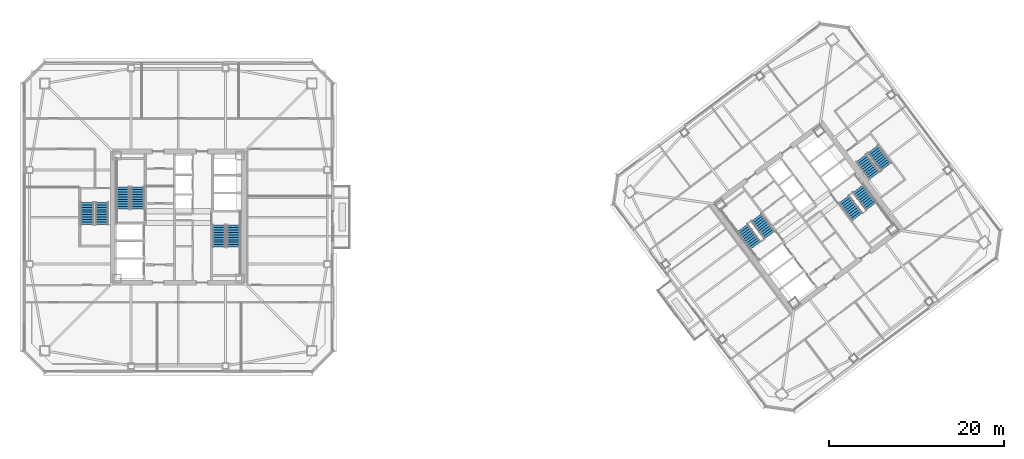
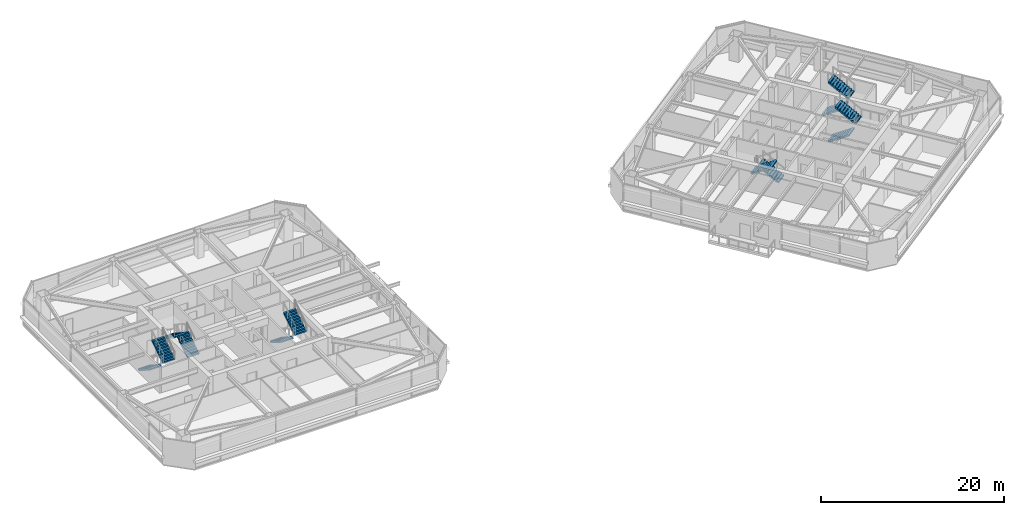
# One storey, part 35 of 41: 12 stair flights, 6 elements without a shape of their own.
"""IFC4 building model written with IfcOpenShell, lengths in metres."""

from ifc_helpers import new_model, si_unit, direction, frame, origin, place, context, subcontext, project, spatial, polyline, outline, extrude, material, type_object, element, aggregate, save


model = new_model("IFC4")

# Units and contexts
model_context = context("Model", 3, precision=1e-05, world=origin(), true_north=direction((0.0, 1.0)))
body_context = subcontext(model_context, "Body", "Model", "MODEL_VIEW")
ifc_project = project(units=[si_unit("LENGTHUNIT", "METRE"), si_unit("AREAUNIT", "SQUARE_METRE"), si_unit("VOLUMEUNIT", "CUBIC_METRE"), si_unit("PLANEANGLEUNIT", "RADIAN"), si_unit("MASSUNIT", "GRAM", prefix="KILO")], contexts=[model_context])

# Site, building, storey
site_placement = place(None, origin())
site = spatial("IfcSite", under=ifc_project, at=site_placement, CompositionType="ELEMENT")
building_placement = place(site_placement, origin())
building = spatial("IfcBuilding", under=site, at=building_placement, Name="Tashvorn Skyway Center", CompositionType="ELEMENT")
storey_placement = place(building_placement, frame((0.0, 0.0, 171.199951171875)))
storey = spatial("IfcBuildingStorey", under=building, at=storey_placement, Name="L46", CompositionType="ELEMENT", Elevation=171.199951171875)

# Stair, stair flights
ifc_material = material(Name="Concrete C40/50", Category="concrete")
stair_type = type_object("IfcStairType", Name="STAIR-CORE-1500", PredefinedType="HALF_TURN_STAIR", material=ifc_material)
stair_1_placement = place(storey_placement, origin())
stair_1 = element("IfcStair", 1, at=stair_1_placement, inside=storey, type_object=stair_type, Name="L46 Tower 1 Exit Stair 1", PredefinedType="HALF_TURN_STAIR")
stair_flight_type = type_object("IfcStairFlightType", Name="SFLIGHT-1500", PredefinedType="STRAIGHT", material=ifc_material)
stair_flight_1_placement = place(storey_placement, frame((37.35009765625, 32.919921875, 0.0), z_axis=(0.0, 0.0, 1.0), x_axis=(0.0, 1.0, 0.0)))
stair_flight_1 = element("IfcStairFlight", 2, at=stair_flight_1_placement, type_object=stair_flight_type, Name="ST-T1-1 flight 1", NumberOfRisers=10, NumberOfTreads=9, PredefinedType="STRAIGHT", RiserHeight=0.1775, TreadLength=0.28, context=body_context, shape_type="SweptSolid", body=[
    extrude(outline(polyline([(0.0, 0.0), (0.0, 0.177490234375), (0.280029296875, 0.177490234375), (0.280029296875, 0.35498046875), (0.56005859375, 0.35498046875), (0.56005859375, 0.532470703125), (0.840087890625, 0.532470703125), (0.840087890625, 0.7099609375), (1.1201171875, 0.7099609375), (1.1201171875, 0.887451171875), (1.39990234375, 0.887451171875), (1.39990234375, 1.06494140625), (1.679931640625, 1.06494140625), (1.679931640625, 1.242431640625), (1.9599609375, 1.242431640625), (1.9599609375, 1.419921875), (2.239990234375, 1.419921875), (2.239990234375, 1.597412109375), (2.52001953125, 1.597412109375), (2.52001953125, 1.77490234375), (2.52001953125, 1.419921875), (0.280029296875, 0.0), (0.0, 0.0)])), frame((0.0, 0.75, 0.0), z_axis=(0.0, -1.0, 0.0), x_axis=(1.0, 0.0, 0.0)), (0.0, 0.0, 1.0), 1.5),
])
stair_flight_2_placement = place(storey_placement, frame((35.64990234375, 35.43994140625, 1.775146484375), z_axis=(0.0, 0.0, 1.0), x_axis=(0.0, -1.0, 0.0)))
stair_flight_2 = element("IfcStairFlight", 3, at=stair_flight_2_placement, type_object=stair_flight_type, Name="ST-T1-1 flight 2", NumberOfRisers=10, NumberOfTreads=9, PredefinedType="STRAIGHT", RiserHeight=0.1775, TreadLength=0.28, context=body_context, shape_type="SweptSolid", body=[
    extrude(outline(polyline([(0.0, 0.0), (0.0, 0.177490234375), (0.280029296875, 0.177490234375), (0.280029296875, 0.35498046875), (0.56005859375, 0.35498046875), (0.56005859375, 0.532470703125), (0.840087890625, 0.532470703125), (0.840087890625, 0.7099609375), (1.1201171875, 0.7099609375), (1.1201171875, 0.887451171875), (1.39990234375, 0.887451171875), (1.39990234375, 1.06494140625), (1.679931640625, 1.06494140625), (1.679931640625, 1.242431640625), (1.9599609375, 1.242431640625), (1.9599609375, 1.419921875), (2.239990234375, 1.419921875), (2.239990234375, 1.597412109375), (2.52001953125, 1.597412109375), (2.52001953125, 1.77490234375), (2.52001953125, 1.419921875), (0.280029296875, 0.0), (0.0, 0.0)])), frame((0.0, 0.75, 0.0), z_axis=(0.0, -1.0, 0.0), x_axis=(1.0, 0.0, 0.0)), (0.0, 0.0, 1.0), 1.5),
])
aggregate(stair_1, [stair_flight_1, stair_flight_2])

stair_2_placement = place(storey_placement, origin())
stair_2 = element("IfcStair", 4, at=stair_2_placement, inside=storey, type_object=stair_type, Name="L46 Tower 1 Exit Stair 2", PredefinedType="HALF_TURN_STAIR")
stair_flight_3_placement = place(storey_placement, frame((46.64990234375, 31.080078125, 0.0), z_axis=(0.0, 0.0, 1.0), x_axis=(0.0, -1.0, 0.0)))
stair_flight_3 = element("IfcStairFlight", 5, at=stair_flight_3_placement, type_object=stair_flight_type, Name="ST-T1-2 flight 1", NumberOfRisers=10, NumberOfTreads=9, PredefinedType="STRAIGHT", RiserHeight=0.1775, TreadLength=0.28, context=body_context, shape_type="SweptSolid", body=[
    extrude(outline(polyline([(0.0, 0.0), (0.0, 0.177490234375), (0.280029296875, 0.177490234375), (0.280029296875, 0.35498046875), (0.56005859375, 0.35498046875), (0.56005859375, 0.532470703125), (0.840087890625, 0.532470703125), (0.840087890625, 0.7099609375), (1.1201171875, 0.7099609375), (1.1201171875, 0.887451171875), (1.39990234375, 0.887451171875), (1.39990234375, 1.06494140625), (1.679931640625, 1.06494140625), (1.679931640625, 1.242431640625), (1.9599609375, 1.242431640625), (1.9599609375, 1.419921875), (2.239990234375, 1.419921875), (2.239990234375, 1.597412109375), (2.52001953125, 1.597412109375), (2.52001953125, 1.77490234375), (2.52001953125, 1.419921875), (0.280029296875, 0.0), (0.0, 0.0)])), frame((0.0, 0.75, 0.0), z_axis=(0.0, -1.0, 0.0), x_axis=(1.0, 0.0, 0.0)), (0.0, 0.0, 1.0), 1.5),
])
stair_flight_4_placement = place(storey_placement, frame((48.35009765625, 28.56005859375, 1.775146484375), z_axis=(0.0, 0.0, 1.0), x_axis=(0.0, 1.0, 0.0)))
stair_flight_4 = element("IfcStairFlight", 6, at=stair_flight_4_placement, type_object=stair_flight_type, Name="ST-T1-2 flight 2", NumberOfRisers=10, NumberOfTreads=9, PredefinedType="STRAIGHT", RiserHeight=0.1775, TreadLength=0.28, context=body_context, shape_type="SweptSolid", body=[
    extrude(outline(polyline([(0.0, 0.0), (0.0, 0.177490234375), (0.280029296875, 0.177490234375), (0.280029296875, 0.35498046875), (0.56005859375, 0.35498046875), (0.56005859375, 0.532470703125), (0.840087890625, 0.532470703125), (0.840087890625, 0.7099609375), (1.1201171875, 0.7099609375), (1.1201171875, 0.887451171875), (1.39990234375, 0.887451171875), (1.39990234375, 1.06494140625), (1.679931640625, 1.06494140625), (1.679931640625, 1.242431640625), (1.9599609375, 1.242431640625), (1.9599609375, 1.419921875), (2.239990234375, 1.419921875), (2.239990234375, 1.597412109375), (2.52001953125, 1.597412109375), (2.52001953125, 1.77490234375), (2.52001953125, 1.419921875), (0.280029296875, 0.0), (0.0, 0.0)])), frame((0.0, 0.75, 0.0), z_axis=(0.0, -1.0, 0.0), x_axis=(1.0, 0.0, 0.0)), (0.0, 0.0, 1.0), 1.5),
])
aggregate(stair_2, [stair_flight_3, stair_flight_4])

stair_3_placement = place(storey_placement, origin())
stair_3 = element("IfcStair", 7, at=stair_3_placement, inside=storey, type_object=stair_type, Name="L46 Tower 2 Exit Stair 1", PredefinedType="HALF_TURN_STAIR")
stair_flight_5_placement = place(storey_placement, frame((109.72802734375, 29.946044921875, 0.0), z_axis=(0.0, 0.0, 1.0), x_axis=(-0.600000004945, 0.799999996291, 0.0)))
stair_flight_5 = element("IfcStairFlight", 8, at=stair_flight_5_placement, type_object=stair_flight_type, Name="ST-T2-1 flight 1", NumberOfRisers=10, NumberOfTreads=9, PredefinedType="STRAIGHT", RiserHeight=0.1775, TreadLength=0.28, context=body_context, shape_type="SweptSolid", body=[
    extrude(outline(polyline([(0.0, 0.0), (0.0, 0.177490234375), (0.280029296875, 0.177490234375), (0.280029296875, 0.35498046875), (0.56005859375, 0.35498046875), (0.56005859375, 0.532470703125), (0.840087890625, 0.532470703125), (0.840087890625, 0.7099609375), (1.1201171875, 0.7099609375), (1.1201171875, 0.887451171875), (1.39990234375, 0.887451171875), (1.39990234375, 1.06494140625), (1.679931640625, 1.06494140625), (1.679931640625, 1.242431640625), (1.9599609375, 1.242431640625), (1.9599609375, 1.419921875), (2.239990234375, 1.419921875), (2.239990234375, 1.597412109375), (2.52001953125, 1.597412109375), (2.52001953125, 1.77490234375), (2.52001953125, 1.419921875), (0.280029296875, 0.0), (0.0, 0.0)])), frame((0.0, 0.75, 0.0), z_axis=(0.0, -1.0, 0.0), x_axis=(1.0, 0.0, 0.0)), (0.0, 0.0, 1.0), 1.5),
])
stair_flight_6_placement = place(storey_placement, frame((106.632080078125, 30.77392578125, 1.775146484375), z_axis=(0.0, 0.0, 1.0), x_axis=(0.600000004945, -0.799999996291, 0.0)))
stair_flight_6 = element("IfcStairFlight", 9, at=stair_flight_6_placement, type_object=stair_flight_type, Name="ST-T2-1 flight 2", NumberOfRisers=10, NumberOfTreads=9, PredefinedType="STRAIGHT", RiserHeight=0.1775, TreadLength=0.28, context=body_context, shape_type="SweptSolid", body=[
    extrude(outline(polyline([(0.0, 0.0), (0.0, 0.177490234375), (0.280029296875, 0.177490234375), (0.280029296875, 0.35498046875), (0.56005859375, 0.35498046875), (0.56005859375, 0.532470703125), (0.840087890625, 0.532470703125), (0.840087890625, 0.7099609375), (1.1201171875, 0.7099609375), (1.1201171875, 0.887451171875), (1.39990234375, 0.887451171875), (1.39990234375, 1.06494140625), (1.679931640625, 1.06494140625), (1.679931640625, 1.242431640625), (1.9599609375, 1.242431640625), (1.9599609375, 1.419921875), (2.239990234375, 1.419921875), (2.239990234375, 1.597412109375), (2.52001953125, 1.597412109375), (2.52001953125, 1.77490234375), (2.52001953125, 1.419921875), (0.280029296875, 0.0), (0.0, 0.0)])), frame((0.0, 0.75, 0.0), z_axis=(0.0, -1.0, 0.0), x_axis=(1.0, 0.0, 0.0)), (0.0, 0.0, 1.0), 1.5),
])
aggregate(stair_3, [stair_flight_5, stair_flight_6])

stair_4_placement = place(storey_placement, origin())
stair_4 = element("IfcStair", 10, at=stair_4_placement, inside=storey, type_object=stair_type, Name="L46 Tower 2 Exit Stair 2", PredefinedType="HALF_TURN_STAIR")
stair_flight_7_placement = place(storey_placement, frame((118.27197265625, 34.053955078125, 0.0), z_axis=(0.0, 0.0, 1.0), x_axis=(0.600000004945, -0.799999996291, 0.0)))
stair_flight_7 = element("IfcStairFlight", 11, at=stair_flight_7_placement, type_object=stair_flight_type, Name="ST-T2-2 flight 1", NumberOfRisers=10, NumberOfTreads=9, PredefinedType="STRAIGHT", RiserHeight=0.1775, TreadLength=0.28, context=body_context, shape_type="SweptSolid", body=[
    extrude(outline(polyline([(0.0, 0.0), (0.0, 0.177490234375), (0.280029296875, 0.177490234375), (0.280029296875, 0.35498046875), (0.56005859375, 0.35498046875), (0.56005859375, 0.532470703125), (0.840087890625, 0.532470703125), (0.840087890625, 0.7099609375), (1.1201171875, 0.7099609375), (1.1201171875, 0.887451171875), (1.39990234375, 0.887451171875), (1.39990234375, 1.06494140625), (1.679931640625, 1.06494140625), (1.679931640625, 1.242431640625), (1.9599609375, 1.242431640625), (1.9599609375, 1.419921875), (2.239990234375, 1.419921875), (2.239990234375, 1.597412109375), (2.52001953125, 1.597412109375), (2.52001953125, 1.77490234375), (2.52001953125, 1.419921875), (0.280029296875, 0.0), (0.0, 0.0)])), frame((0.0, 0.75, 0.0), z_axis=(0.0, -1.0, 0.0), x_axis=(1.0, 0.0, 0.0)), (0.0, 0.0, 1.0), 1.5),
])
stair_flight_8_placement = place(storey_placement, frame((121.367919921875, 33.22607421875, 1.775146484375), z_axis=(0.0, 0.0, 1.0), x_axis=(-0.600000004945, 0.799999996291, 0.0)))
stair_flight_8 = element("IfcStairFlight", 12, at=stair_flight_8_placement, type_object=stair_flight_type, Name="ST-T2-2 flight 2", NumberOfRisers=10, NumberOfTreads=9, PredefinedType="STRAIGHT", RiserHeight=0.1775, TreadLength=0.28, context=body_context, shape_type="SweptSolid", body=[
    extrude(outline(polyline([(0.0, 0.0), (0.0, 0.177490234375), (0.280029296875, 0.177490234375), (0.280029296875, 0.35498046875), (0.56005859375, 0.35498046875), (0.56005859375, 0.532470703125), (0.840087890625, 0.532470703125), (0.840087890625, 0.7099609375), (1.1201171875, 0.7099609375), (1.1201171875, 0.887451171875), (1.39990234375, 0.887451171875), (1.39990234375, 1.06494140625), (1.679931640625, 1.06494140625), (1.679931640625, 1.242431640625), (1.9599609375, 1.242431640625), (1.9599609375, 1.419921875), (2.239990234375, 1.419921875), (2.239990234375, 1.597412109375), (2.52001953125, 1.597412109375), (2.52001953125, 1.77490234375), (2.52001953125, 1.419921875), (0.280029296875, 0.0), (0.0, 0.0)])), frame((0.0, 0.75, 0.0), z_axis=(0.0, -1.0, 0.0), x_axis=(1.0, 0.0, 0.0)), (0.0, 0.0, 1.0), 1.5),
])
aggregate(stair_4, [stair_flight_7, stair_flight_8])

stair_5_placement = place(storey_placement, origin())
stair_5 = element("IfcStair", 13, at=stair_5_placement, inside=storey, type_object=stair_type, Name="L46 Tower 1 Exit Stair 3", PredefinedType="HALF_TURN_STAIR")
stair_flight_9_placement = place(storey_placement, frame((31.550048828125, 33.679931640625, 0.0), z_axis=(0.0, 0.0, 1.0), x_axis=(0.0, -1.0, 0.0)))
stair_flight_9 = element("IfcStairFlight", 14, at=stair_flight_9_placement, type_object=stair_flight_type, Name="ST-T1-3 flight 1", NumberOfRisers=10, NumberOfTreads=9, PredefinedType="STRAIGHT", RiserHeight=0.1775, TreadLength=0.28, context=body_context, shape_type="SweptSolid", body=[
    extrude(outline(polyline([(0.0, 0.0), (0.0, 0.177490234375), (0.280029296875, 0.177490234375), (0.280029296875, 0.35498046875), (0.56005859375, 0.35498046875), (0.56005859375, 0.532470703125), (0.840087890625, 0.532470703125), (0.840087890625, 0.7099609375), (1.1201171875, 0.7099609375), (1.1201171875, 0.887451171875), (1.39990234375, 0.887451171875), (1.39990234375, 1.06494140625), (1.679931640625, 1.06494140625), (1.679931640625, 1.242431640625), (1.9599609375, 1.242431640625), (1.9599609375, 1.419921875), (2.239990234375, 1.419921875), (2.239990234375, 1.597412109375), (2.52001953125, 1.597412109375), (2.52001953125, 1.77490234375), (2.52001953125, 1.419921875), (0.280029296875, 0.0), (0.0, 0.0)])), frame((0.0, 0.75, 0.0), z_axis=(0.0, -1.0, 0.0), x_axis=(1.0, 0.0, 0.0)), (0.0, 0.0, 1.0), 1.5),
])
stair_flight_10_placement = place(storey_placement, frame((33.25, 31.159912109375, 1.775146484375), z_axis=(0.0, 0.0, 1.0), x_axis=(0.0, 1.0, 0.0)))
stair_flight_10 = element("IfcStairFlight", 15, at=stair_flight_10_placement, type_object=stair_flight_type, Name="ST-T1-3 flight 2", NumberOfRisers=10, NumberOfTreads=9, PredefinedType="STRAIGHT", RiserHeight=0.1775, TreadLength=0.28, context=body_context, shape_type="SweptSolid", body=[
    extrude(outline(polyline([(0.0, 0.0), (0.0, 0.177490234375), (0.280029296875, 0.177490234375), (0.280029296875, 0.35498046875), (0.56005859375, 0.35498046875), (0.56005859375, 0.532470703125), (0.840087890625, 0.532470703125), (0.840087890625, 0.7099609375), (1.1201171875, 0.7099609375), (1.1201171875, 0.887451171875), (1.39990234375, 0.887451171875), (1.39990234375, 1.06494140625), (1.679931640625, 1.06494140625), (1.679931640625, 1.242431640625), (1.9599609375, 1.242431640625), (1.9599609375, 1.419921875), (2.239990234375, 1.419921875), (2.239990234375, 1.597412109375), (2.52001953125, 1.597412109375), (2.52001953125, 1.77490234375), (2.52001953125, 1.419921875), (0.280029296875, 0.0), (0.0, 0.0)])), frame((0.0, 0.75, 0.0), z_axis=(0.0, -1.0, 0.0), x_axis=(1.0, 0.0, 0.0)), (0.0, 0.0, 1.0), 1.5),
])
aggregate(stair_5, [stair_flight_9, stair_flight_10])

stair_6_placement = place(storey_placement, origin())
stair_6 = element("IfcStair", 16, at=stair_6_placement, inside=storey, type_object=stair_type, Name="L46 Tower 2 Exit Stair 3", PredefinedType="HALF_TURN_STAIR")
stair_flight_11_placement = place(storey_placement, frame((120.216064453125, 38.761962890625, 0.0), z_axis=(0.0, 0.0, 1.0), x_axis=(0.600000004945, -0.799999996291, 0.0)))
stair_flight_11 = element("IfcStairFlight", 17, at=stair_flight_11_placement, type_object=stair_flight_type, Name="ST-T2-3 flight 1", NumberOfRisers=10, NumberOfTreads=9, PredefinedType="STRAIGHT", RiserHeight=0.1775, TreadLength=0.28, context=body_context, shape_type="SweptSolid", body=[
    extrude(outline(polyline([(0.0, 0.0), (0.0, 0.177490234375), (0.280029296875, 0.177490234375), (0.280029296875, 0.35498046875), (0.56005859375, 0.35498046875), (0.56005859375, 0.532470703125), (0.840087890625, 0.532470703125), (0.840087890625, 0.7099609375), (1.1201171875, 0.7099609375), (1.1201171875, 0.887451171875), (1.39990234375, 0.887451171875), (1.39990234375, 1.06494140625), (1.679931640625, 1.06494140625), (1.679931640625, 1.242431640625), (1.9599609375, 1.242431640625), (1.9599609375, 1.419921875), (2.239990234375, 1.419921875), (2.239990234375, 1.597412109375), (2.52001953125, 1.597412109375), (2.52001953125, 1.77490234375), (2.52001953125, 1.419921875), (0.280029296875, 0.0), (0.0, 0.0)])), frame((0.0, 0.75, 0.0), z_axis=(0.0, -1.0, 0.0), x_axis=(1.0, 0.0, 0.0)), (0.0, 0.0, 1.0), 1.5),
])
stair_flight_12_placement = place(storey_placement, frame((123.087890625, 37.76611328125, 1.775146484375), z_axis=(0.0, 0.0, 1.0), x_axis=(-0.600000004945, 0.799999996291, 0.0)))
stair_flight_12 = element("IfcStairFlight", 18, at=stair_flight_12_placement, type_object=stair_flight_type, Name="ST-T2-3 flight 2", NumberOfRisers=10, NumberOfTreads=9, PredefinedType="STRAIGHT", RiserHeight=0.1775, TreadLength=0.28, context=body_context, shape_type="SweptSolid", body=[
    extrude(outline(polyline([(0.0, 0.0), (0.0, 0.177490234375), (0.280029296875, 0.177490234375), (0.280029296875, 0.35498046875), (0.56005859375, 0.35498046875), (0.56005859375, 0.532470703125), (0.840087890625, 0.532470703125), (0.840087890625, 0.7099609375), (1.1201171875, 0.7099609375), (1.1201171875, 0.887451171875), (1.39990234375, 0.887451171875), (1.39990234375, 1.06494140625), (1.679931640625, 1.06494140625), (1.679931640625, 1.242431640625), (1.9599609375, 1.242431640625), (1.9599609375, 1.419921875), (2.239990234375, 1.419921875), (2.239990234375, 1.597412109375), (2.52001953125, 1.597412109375), (2.52001953125, 1.77490234375), (2.52001953125, 1.419921875), (0.280029296875, 0.0), (0.0, 0.0)])), frame((0.0, 0.75, 0.0), z_axis=(0.0, -1.0, 0.0), x_axis=(1.0, 0.0, 0.0)), (0.0, 0.0, 1.0), 1.5),
])
aggregate(stair_6, [stair_flight_11, stair_flight_12])

save(model, "model.ifc")
